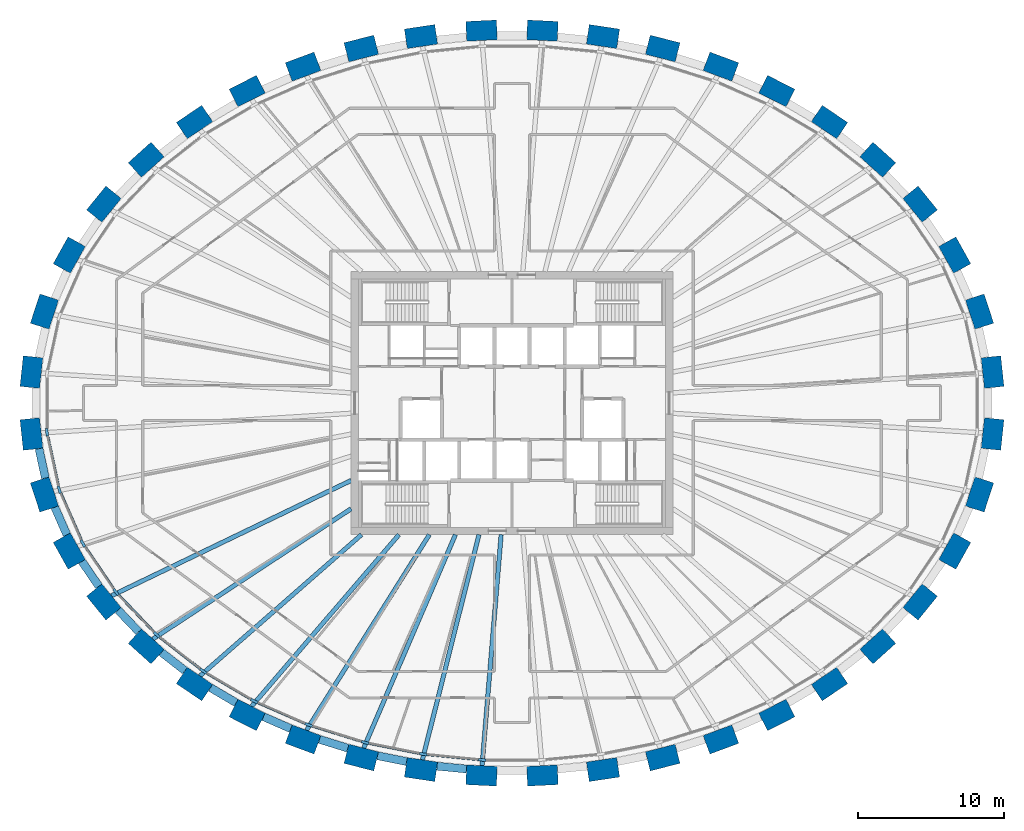
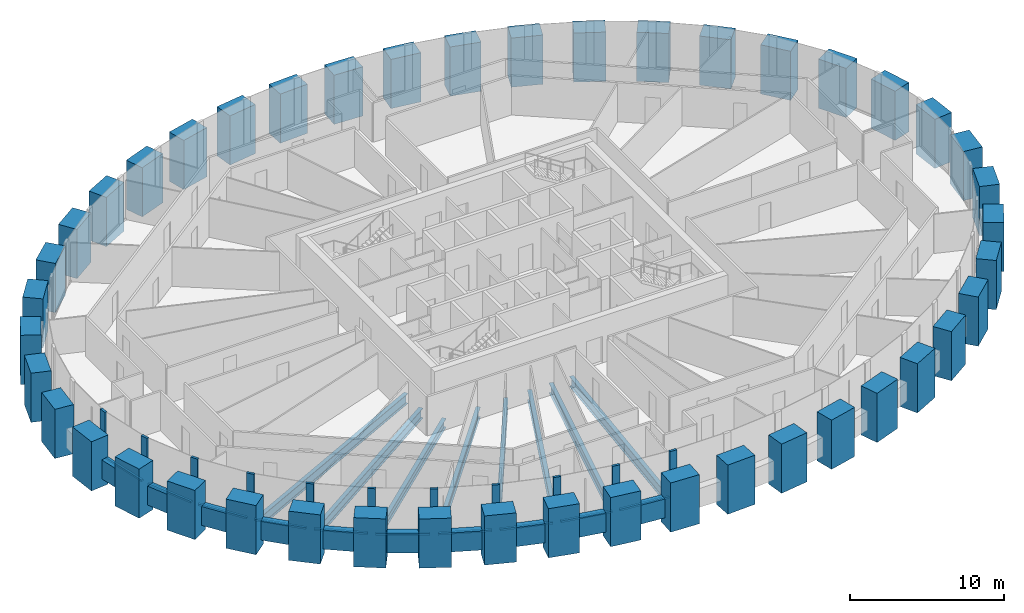
# One storey, part 1 of 12: 44 columns, 21 members, 18 beams, 1 element without a shape of its own.
"""IFC4 building model written with IfcOpenShell, lengths in metres."""

from ifc_helpers import new_model, si_unit, direction, frame, origin, origin_2d, place, context, subcontext, project, spatial, rectangle, i_section, extrude, source, transform, mapped, material, material_profile, profile_set, type_object, element, aggregate, save


model = new_model("IFC4")

# Units and contexts
model_context = context("Model", 3, precision=1e-05, world=origin(), true_north=direction((0.0, 1.0)))
body_context = subcontext(model_context, "Body", "Model", "MODEL_VIEW")
ifc_project = project(units=[si_unit("LENGTHUNIT", "METRE"), si_unit("AREAUNIT", "SQUARE_METRE"), si_unit("VOLUMEUNIT", "CUBIC_METRE"), si_unit("PLANEANGLEUNIT", "RADIAN"), si_unit("MASSUNIT", "GRAM", prefix="KILO")], contexts=[model_context])

# Site, building, storey
site_placement = place(None, origin())
site = spatial("IfcSite", under=ifc_project, at=site_placement, CompositionType="ELEMENT")
building_placement = place(site_placement, origin())
building = spatial("IfcBuilding", under=site, at=building_placement, Name="Embergate Tower", CompositionType="ELEMENT")
storey_placement = place(building_placement, frame((0.0, 0.0, 261.699951171875)))
storey = spatial("IfcBuildingStorey", under=building, at=storey_placement, Name="L60", CompositionType="ELEMENT", Elevation=261.699951171875)

# Columns
ifc_material_1 = material(Name="Concrete C60", Category="concrete")
ifc_material_profile_1 = material_profile(ifc_material_1, rectangle(XDim=1.35009765625, YDim=2.10009765625, at=origin_2d()), Name="RC 1350x2100")
ifc_profile_set_1 = profile_set([ifc_material_profile_1], Name="Concrete C60")
column_type = type_object("IfcColumnType", Name="Ring column RC 1350x2100 C60", PredefinedType="COLUMN", material=ifc_profile_set_1)
shared_shape_1 = source(origin(), body_context, "Body", "SweptSolid", [
    extrude(rectangle(XDim=1.35009765625, YDim=2.10009765625, at=origin_2d()), origin(), (0.0, 0.0, 1.0), 3.89990234375),
])
for number, where, z_axis, x_axis, name in (
    (1, (32.862060546875, 2.116943359375, -1.39990234375), (0.0, 0.0, 1.0), (0.99428589498, 0.106749983816, 0.0), "COL-L60-00"),
    (2, (31.971923828125, 6.2529296875, -1.39990234375), (0.0, 0.0, 1.0), (0.950754033697, 0.309946394413, 0.0), "COL-L60-01"),
    (3, (30.27587890625, 10.118896484375, -1.39990234375), (0.0, 0.0, 1.0), (0.873491969053, 0.486838556403, 0.0), "COL-L60-02"),
    (4, (27.908935546875, 13.60009765625, -1.39990234375), (0.0, 0.0, 1.0), (0.775914301615, 0.630838328377, 0.0), "COL-L60-03"),
    (5, (25.011962890625, 16.637939453125, -1.39990234375), (0.0, 0.0, 1.0), (0.669208424634, 0.74307475021, 0.0), "COL-L60-04"),
    (6, (21.7109375, 19.215087890625, -1.39990234375), (0.0, 0.0, 1.0), (0.560393279442, 0.828226643109, 0.0), "COL-L60-05"),
    (7, (18.10888671875, 21.3330078125, -1.39990234375), (0.0, 0.0, 1.0), (0.452994952881, 0.891513080478, 0.0), "COL-L60-06"),
    (8, (14.285888671875, 23.0048828125, -1.39990234375), (0.0, 0.0, 1.0), (0.348343015724, 0.93736713373, 0.0), "COL-L60-07"),
    (9, (10.306884765625, 24.243896484375, -1.39990234375), (0.0, 0.0, 1.0), (0.246491603437, 0.969144926951, 0.0), "COL-L60-08"),
    (10, (6.222900390625, 25.06298828125, -1.39990234375), (0.0, 0.0, 1.0), (0.146929011949, 0.989147039346, 0.0), "COL-L60-09"),
    (11, (2.0810546875, 25.469970703125, -1.39990234375), (0.0, 0.0, 1.0), (0.048814904854, 0.998807841912, 0.0), "COL-L60-10"),
    (12, (-2.0810546875, 25.469970703125, -1.39990234375), (0.0, 0.0, 1.0), (-0.048814904854, 0.998807841912, 0.0), "COL-L60-11"),
    (13, (-6.222900390625, 25.06298828125, -1.39990234375), (0.0, 0.0, 1.0), (-0.146929011949, 0.989147039346, 0.0), "COL-L60-12"),
    (14, (-10.306884765625, 24.243896484375, -1.39990234375), (0.0, 0.0, 1.0), (-0.246491603437, 0.969144926951, 0.0), "COL-L60-13"),
    (15, (-14.285888671875, 23.0048828125, -1.39990234375), (0.0, 0.0, 1.0), (-0.348343015724, 0.93736713373, 0.0), "COL-L60-14"),
    (16, (-18.10888671875, 21.3330078125, -1.39990234375), (0.0, 0.0, 1.0), (-0.452994952881, 0.891513080478, 0.0), "COL-L60-15"),
    (17, (-21.7109375, 19.215087890625, -1.39990234375), (0.0, 0.0, 1.0), (-0.560393279442, 0.828226643109, 0.0), "COL-L60-16"),
    (18, (-25.011962890625, 16.637939453125, -1.39990234375), (0.0, 0.0, 1.0), (-0.669208424634, 0.74307475021, 0.0), "COL-L60-17"),
    (19, (-27.908935546875, 13.60009765625, -1.39990234375), (0.0, 0.0, 1.0), (-0.775914301615, 0.630838328377, 0.0), "COL-L60-18"),
    (20, (-30.27587890625, 10.118896484375, -1.39990234375), (0.0, 0.0, 1.0), (-0.873491969053, 0.486838556403, 0.0), "COL-L60-19"),
    (21, (-31.971923828125, 6.2529296875, -1.39990234375), (0.0, 0.0, 1.0), (-0.950754033697, 0.309946394413, 0.0), "COL-L60-20"),
    (22, (-32.862060546875, 2.116943359375, -1.39990234375), (0.0, 0.0, 1.0), (-0.99428589498, 0.106749983816, 0.0), "COL-L60-21"),
    (23, (-32.862060546875, -2.116943359375, -1.39990234375), (0.0, 0.0, 1.0), (-0.99428589498, -0.106749983816, 0.0), "COL-L60-22"),
    (24, (-31.971923828125, -6.2529296875, -1.39990234375), (0.0, 0.0, 1.0), (-0.950754033697, -0.309946394413, 0.0), "COL-L60-23"),
    (25, (-30.27587890625, -10.118896484375, -1.39990234375), (0.0, 0.0, 1.0), (-0.873491969053, -0.486838556403, 0.0), "COL-L60-24"),
    (26, (-27.908935546875, -13.60009765625, -1.39990234375), (0.0, 0.0, 1.0), (-0.775914301615, -0.630838328377, 0.0), "COL-L60-25"),
    (27, (-25.011962890625, -16.637939453125, -1.39990234375), (0.0, 0.0, 1.0), (-0.669208424634, -0.74307475021, 0.0), "COL-L60-26"),
    (28, (-21.7109375, -19.215087890625, -1.39990234375), (0.0, 0.0, 1.0), (-0.560393279442, -0.828226643109, 0.0), "COL-L60-27"),
    (29, (-18.10888671875, -21.3330078125, -1.39990234375), (0.0, 0.0, 1.0), (-0.452994952881, -0.891513080478, 0.0), "COL-L60-28"),
    (30, (-14.285888671875, -23.0048828125, -1.39990234375), (0.0, 0.0, 1.0), (-0.348343015724, -0.93736713373, 0.0), "COL-L60-29"),
    (31, (-10.306884765625, -24.243896484375, -1.39990234375), (0.0, 0.0, 1.0), (-0.246491603437, -0.969144926951, 0.0), "COL-L60-30"),
    (32, (-6.222900390625, -25.06298828125, -1.39990234375), (0.0, 0.0, 1.0), (-0.146929011949, -0.989147039346, 0.0), "COL-L60-31"),
    (33, (-2.0810546875, -25.469970703125, -1.39990234375), (0.0, 0.0, 1.0), (-0.048814904854, -0.998807841912, 0.0), "COL-L60-32"),
    (34, (2.0810546875, -25.469970703125, -1.39990234375), (0.0, 0.0, 1.0), (0.048814904854, -0.998807841912, 0.0), "COL-L60-33"),
    (35, (6.222900390625, -25.06298828125, -1.39990234375), (0.0, 0.0, 1.0), (0.146929011949, -0.989147039346, 0.0), "COL-L60-34"),
    (36, (10.306884765625, -24.243896484375, -1.39990234375), (0.0, 0.0, 1.0), (0.246491603437, -0.969144926951, 0.0), "COL-L60-35"),
    (37, (14.285888671875, -23.0048828125, -1.39990234375), (0.0, 0.0, 1.0), (0.348343015724, -0.93736713373, 0.0), "COL-L60-36"),
    (38, (18.10888671875, -21.3330078125, -1.39990234375), (0.0, 0.0, 1.0), (0.452994952881, -0.891513080478, 0.0), "COL-L60-37"),
    (39, (21.7109375, -19.215087890625, -1.39990234375), (0.0, 0.0, 1.0), (0.560393279442, -0.828226643109, 0.0), "COL-L60-38"),
    (40, (25.011962890625, -16.637939453125, -1.39990234375), (0.0, 0.0, 1.0), (0.669208424634, -0.74307475021, 0.0), "COL-L60-39"),
    (41, (27.908935546875, -13.60009765625, -1.39990234375), (0.0, 0.0, 1.0), (0.775914301615, -0.630838328377, 0.0), "COL-L60-40"),
    (42, (30.27587890625, -10.118896484375, -1.39990234375), (0.0, 0.0, 1.0), (0.873491969053, -0.486838556403, 0.0), "COL-L60-41"),
    (43, (31.971923828125, -6.2529296875, -1.39990234375), (0.0, 0.0, 1.0), (0.950754033697, -0.309946394413, 0.0), "COL-L60-42"),
    (44, (32.862060546875, -2.116943359375, -1.39990234375), (0.0, 0.0, 1.0), (0.99428589498, -0.106749983816, 0.0), "COL-L60-43"),
):
    element("IfcColumn", number, at=place(storey_placement, frame(where, z_axis=z_axis, x_axis=x_axis)), inside=storey, type_object=column_type, Name=name, PredefinedType="COLUMN", context=body_context, shape_type="MappedRepresentation", body=[
        mapped(shared_shape_1, transform((0.0, 0.0, 0.0))),
    ])

# Beams
ifc_material_profile_2 = material_profile(ifc_material_1, rectangle(XDim=0.550048828125, YDim=1.5, at=origin_2d()), Name="RC 550x1500")
ifc_profile_set_2 = profile_set([ifc_material_profile_2], Name="Concrete C60")
beam_type_1 = type_object("IfcBeamType", Name="Spandrel beam RC 550x1500 C60", PredefinedType="BEAM", material=ifc_profile_set_2)
shared_shape_2 = source(origin(), body_context, "Body", "SweptSolid", [
    extrude(rectangle(XDim=0.550048828125, YDim=1.5, at=origin_2d()), origin(), (0.0, 0.0, 1.0), 2.05810546875),
])
beam_1_placement = place(storey_placement, frame((-32.343994140625, -3.116943359375, 0.0), z_axis=(0.210444450804, -0.977605816843, 0.0), x_axis=(0.977605816843, 0.210444450804, 0.0)))
element("IfcBeam", 45, at=beam_1_placement, inside=storey, type_object=beam_type_1, Name="SPN-L60-22", PredefinedType="BEAM", context=body_context, shape_type="MappedRepresentation", body=[
    mapped(shared_shape_2, transform((0.0, 0.0, 0.0))),
])
shared_shape_3 = source(origin(), body_context, "Body", "SweptSolid", [
    extrude(rectangle(XDim=0.550048828125, YDim=1.5, at=origin_2d()), origin(), (0.0, 0.0, 1.0), 2.054443359375),
])
beam_2_placement = place(storey_placement, frame((-31.264892578125, -7.126953125, 0.0), z_axis=(0.402021652571, -0.915630160526, 0.0), x_axis=(0.915630160526, 0.402021652571, 0.0)))
element("IfcBeam", 46, at=beam_2_placement, inside=storey, type_object=beam_type_1, Name="SPN-L60-23", PredefinedType="BEAM", context=body_context, shape_type="MappedRepresentation", body=[
    mapped(shared_shape_3, transform((0.0, 0.0, 0.0))),
])
shared_shape_4 = source(origin(), body_context, "Body", "SweptSolid", [
    extrude(rectangle(XDim=0.550048828125, YDim=1.5, at=origin_2d()), origin(), (0.0, 0.0, 1.0), 2.046630859375),
])
beam_3_placement = place(storey_placement, frame((-29.405029296875, -10.8359375, 0.0), z_axis=(0.562466632366, -0.826819984927, 0.0), x_axis=(0.826819984927, 0.562466632366, 0.0)))
element("IfcBeam", 47, at=beam_3_placement, inside=storey, type_object=beam_type_1, Name="SPN-L60-24", PredefinedType="BEAM", context=body_context, shape_type="MappedRepresentation", body=[
    mapped(shared_shape_4, transform((0.0, 0.0, 0.0))),
])
shared_shape_5 = source(origin(), body_context, "Body", "SweptSolid", [
    extrude(rectangle(XDim=0.550048828125, YDim=1.5, at=origin_2d()), origin(), (0.0, 0.0, 1.0), 2.042724609375),
])
beam_4_placement = place(storey_placement, frame((-26.93505859375, -14.160888671875, 0.0), z_axis=(0.690299494905, -0.723523743448, 0.0), x_axis=(0.723523743448, 0.690299494905, 0.0)))
element("IfcBeam", 48, at=beam_4_placement, inside=storey, type_object=beam_type_1, Name="SPN-L60-25", PredefinedType="BEAM", context=body_context, shape_type="MappedRepresentation", body=[
    mapped(shared_shape_5, transform((0.0, 0.0, 0.0))),
])
shared_shape_6 = source(origin(), body_context, "Body", "SweptSolid", [
    extrude(rectangle(XDim=0.550048828125, YDim=1.5, at=origin_2d()), origin(), (0.0, 0.0, 1.0), 2.038330078125),
])
beam_5_placement = place(storey_placement, frame((-23.968994140625, -17.049072265625, 0.0), z_axis=(0.78838379352, -0.615183707615, 0.0), x_axis=(0.615183707615, 0.78838379352, 0.0)))
element("IfcBeam", 49, at=beam_5_placement, inside=storey, type_object=beam_type_1, Name="SPN-L60-26", PredefinedType="BEAM", context=body_context, shape_type="MappedRepresentation", body=[
    mapped(shared_shape_6, transform((0.0, 0.0, 0.0))),
])
shared_shape_7 = source(origin(), body_context, "Body", "SweptSolid", [
    extrude(rectangle(XDim=0.550048828125, YDim=1.5, at=origin_2d()), origin(), (0.0, 0.0, 1.0), 2.0322265625),
])
beam_6_placement = place(storey_placement, frame((-20.614013671875, -19.467041015625, 0.0), z_axis=(0.862048455152, -0.50682586849, 0.0), x_axis=(0.50682586849, 0.862048455152, 0.0)))
element("IfcBeam", 50, at=beam_6_placement, inside=storey, type_object=beam_type_1, Name="SPN-L60-27", PredefinedType="BEAM", context=body_context, shape_type="MappedRepresentation", body=[
    mapped(shared_shape_7, transform((0.0, 0.0, 0.0))),
])
shared_shape_8 = source(origin(), body_context, "Body", "SweptSolid", [
    extrude(rectangle(XDim=0.550048828125, YDim=1.5, at=origin_2d()), origin(), (0.0, 0.0, 1.0), 2.03076171875),
])
beam_7_placement = place(storey_placement, frame((-16.991943359375, -21.451904296875, 0.0), z_axis=(0.916361402872, -0.400352069216, 0.0), x_axis=(0.400352069216, 0.916361402872, 0.0)))
element("IfcBeam", 51, at=beam_7_placement, inside=storey, type_object=beam_type_1, Name="SPN-L60-28", PredefinedType="BEAM", context=body_context, shape_type="MappedRepresentation", body=[
    mapped(shared_shape_8, transform((0.0, 0.0, 0.0))),
])
shared_shape_9 = source(origin(), body_context, "Body", "SweptSolid", [
    extrude(rectangle(XDim=0.550048828125, YDim=1.5, at=origin_2d()), origin(), (0.0, 0.0, 1.0), 2.02880859375),
])
beam_8_placement = place(storey_placement, frame((-13.1640625, -22.9990234375, 0.0), z_axis=(0.954800624546, -0.297246980417, 0.0), x_axis=(0.297246980417, 0.954800624546, 0.0)))
element("IfcBeam", 52, at=beam_8_placement, inside=storey, type_object=beam_type_1, Name="SPN-L60-29", PredefinedType="BEAM", context=body_context, shape_type="MappedRepresentation", body=[
    mapped(shared_shape_9, transform((0.0, 0.0, 0.0))),
])
shared_shape_10 = source(origin(), body_context, "Body", "SweptSolid", [
    extrude(rectangle(XDim=0.550048828125, YDim=1.5, at=origin_2d()), origin(), (0.0, 0.0, 1.0), 2.02734375),
])
beam_9_placement = place(storey_placement, frame((-9.19189453125, -24.1220703125, 0.0), z_axis=(0.980543602706, -0.196301409041, 0.0), x_axis=(0.196301409041, 0.980543602706, 0.0)))
element("IfcBeam", 53, at=beam_9_placement, inside=storey, type_object=beam_type_1, Name="SPN-L60-30", PredefinedType="BEAM", context=body_context, shape_type="MappedRepresentation", body=[
    mapped(shared_shape_10, transform((0.0, 0.0, 0.0))),
])
shared_shape_11 = source(origin(), body_context, "Body", "SweptSolid", [
    extrude(rectangle(XDim=0.550048828125, YDim=1.5, at=origin_2d()), origin(), (0.0, 0.0, 1.0), 2.025634765625),
])
beam_10_placement = place(storey_placement, frame((-5.126953125, -24.830078125, 0.0), z_axis=(0.995211067802, -0.097749324935, 0.0), x_axis=(0.097749324935, 0.995211067802, 0.0)))
element("IfcBeam", 54, at=beam_10_placement, inside=storey, type_object=beam_type_1, Name="SPN-L60-31", PredefinedType="BEAM", context=body_context, shape_type="MappedRepresentation", body=[
    mapped(shared_shape_11, transform((0.0, 0.0, 0.0))),
])
ifc_material_2 = material(Name="Steel Q355B", Category="steel")
ifc_material_profile_3 = material_profile(ifc_material_2, i_section(OverallWidth=0.300048828125, OverallDepth=0.800048828125, WebThickness=0.013916015625, FlangeThickness=0.02587890625, FilletRadius=0.028076171875, at=origin_2d()), Name="HN 800x300x14x26")
ifc_profile_set_3 = profile_set([ifc_material_profile_3], Name="Steel Q355 grade B")
beam_type_2 = type_object("IfcBeamType", Name="Radial girder HN 800x300x14x26", PredefinedType="BEAM", material=ifc_profile_set_3)
shared_shape_12 = source(origin(), body_context, "Body", "SweptSolid", [
    extrude(i_section(OverallWidth=0.300048828125, OverallDepth=0.800048828125, WebThickness=0.013916015625, FlangeThickness=0.02587890625, FilletRadius=0.028076171875, at=origin_2d()), origin(), (0.0, 0.0, 1.0), 18.182373046875),
])
beam_11_placement = place(storey_placement, frame((-27.385009765625, -13.174072265625, -0.599853515625), z_axis=(0.901152068073, 0.433503114415, 0.0), x_axis=(-0.433503114415, 0.901152068073, 0.0)))
element("IfcBeam", 55, at=beam_11_placement, inside=storey, type_object=beam_type_2, Name="GIR-L60-25", PredefinedType="BEAM", context=body_context, shape_type="MappedRepresentation", body=[
    mapped(shared_shape_12, transform((0.0, 0.0, 0.0))),
])
shared_shape_13 = source(origin(), body_context, "Body", "SweptSolid", [
    extrude(i_section(OverallWidth=0.300048828125, OverallDepth=0.800048828125, WebThickness=0.013916015625, FlangeThickness=0.02587890625, FilletRadius=0.028076171875, at=origin_2d()), origin(), (0.0, 0.0, 1.0), 16.224853515625),
])
beam_12_placement = place(storey_placement, frame((-24.56005859375, -16.135986328125, -0.599853515625), z_axis=(0.83576092079, 0.549093510506, 0.0), x_axis=(-0.549093510506, 0.83576092079, 0.0)))
element("IfcBeam", 56, at=beam_12_placement, inside=storey, type_object=beam_type_2, Name="GIR-L60-26", PredefinedType="BEAM", context=body_context, shape_type="MappedRepresentation", body=[
    mapped(shared_shape_13, transform((0.0, 0.0, 0.0))),
])
ifc_material_profile_4 = material_profile(ifc_material_2, i_section(OverallWidth=0.300048828125, OverallDepth=0.699951171875, WebThickness=0.012939453125, FlangeThickness=0.02392578125, FilletRadius=0.01806640625, at=origin_2d()), Name="HN 700x300x13x24")
ifc_profile_set_4 = profile_set([ifc_material_profile_4], Name="Steel Q355 grade B")
beam_type_3 = type_object("IfcBeamType", Name="Radial girder HN 700x300x13x24", PredefinedType="BEAM", material=ifc_profile_set_4)
shared_shape_14 = source(origin(), body_context, "Body", "SweptSolid", [
    extrude(i_section(OverallWidth=0.300048828125, OverallDepth=0.699951171875, WebThickness=0.012939453125, FlangeThickness=0.02392578125, FilletRadius=0.01806640625, at=origin_2d()), origin(), (0.0, 0.0, 1.0), 14.66845703125),
])
beam_13_placement = place(storey_placement, frame((-21.3330078125, -18.656005859375, -0.550048828125), z_axis=(0.752770497305, 0.658283053395, 0.0), x_axis=(-0.658283053395, 0.752770497305, 0.0)))
element("IfcBeam", 57, at=beam_13_placement, inside=storey, type_object=beam_type_3, Name="GIR-L60-27", PredefinedType="BEAM", context=body_context, shape_type="MappedRepresentation", body=[
    mapped(shared_shape_14, transform((0.0, 0.0, 0.0))),
])
shared_shape_15 = source(origin(), body_context, "Body", "SweptSolid", [
    extrude(i_section(OverallWidth=0.300048828125, OverallDepth=0.800048828125, WebThickness=0.013916015625, FlangeThickness=0.02587890625, FilletRadius=0.028076171875, at=origin_2d()), origin(), (0.0, 0.0, 1.0), 15.462890625),
])
beam_14_placement = place(storey_placement, frame((-17.802978515625, -20.73095703125, -0.599853515625), z_axis=(0.651494533004, 0.75865332891, 0.0), x_axis=(-0.75865332891, 0.651494533004, 0.0)))
element("IfcBeam", 58, at=beam_14_placement, inside=storey, type_object=beam_type_2, Name="GIR-L60-28", PredefinedType="BEAM", context=body_context, shape_type="MappedRepresentation", body=[
    mapped(shared_shape_15, transform((0.0, 0.0, 0.0))),
])
shared_shape_16 = source(origin(), body_context, "Body", "SweptSolid", [
    extrude(i_section(OverallWidth=0.300048828125, OverallDepth=0.800048828125, WebThickness=0.013916015625, FlangeThickness=0.02587890625, FilletRadius=0.028076171875, at=origin_2d()), origin(), (0.0, 0.0, 1.0), 15.791015625),
])
beam_15_placement = place(storey_placement, frame((-14.051025390625, -22.3720703125, -0.599853515625), z_axis=(0.531882110567, 0.846818410557, 0.0), x_axis=(-0.846818410557, 0.531882110567, 0.0)))
element("IfcBeam", 59, at=beam_15_placement, inside=storey, type_object=beam_type_2, Name="GIR-L60-29", PredefinedType="BEAM", context=body_context, shape_type="MappedRepresentation", body=[
    mapped(shared_shape_16, transform((0.0, 0.0, 0.0))),
])
shared_shape_17 = source(origin(), body_context, "Body", "SweptSolid", [
    extrude(i_section(OverallWidth=0.300048828125, OverallDepth=0.800048828125, WebThickness=0.013916015625, FlangeThickness=0.02587890625, FilletRadius=0.028076171875, at=origin_2d()), origin(), (0.0, 0.0, 1.0), 15.881103515625),
])
beam_16_placement = place(storey_placement, frame((-10.14111328125, -23.590087890625, -0.599853515625), z_axis=(0.394946920714, 0.918703940243, 0.0), x_axis=(-0.918703940243, 0.394946920714, 0.0)))
element("IfcBeam", 60, at=beam_16_placement, inside=storey, type_object=beam_type_2, Name="GIR-L60-30", PredefinedType="BEAM", context=body_context, shape_type="MappedRepresentation", body=[
    mapped(shared_shape_17, transform((0.0, 0.0, 0.0))),
])
shared_shape_18 = source(origin(), body_context, "Body", "SweptSolid", [
    extrude(i_section(OverallWidth=0.300048828125, OverallDepth=0.800048828125, WebThickness=0.013916015625, FlangeThickness=0.02587890625, FilletRadius=0.028076171875, at=origin_2d()), origin(), (0.0, 0.0, 1.0), 15.872802734375),
])
beam_17_placement = place(storey_placement, frame((-6.1240234375, -24.39501953125, -0.599853515625), z_axis=(0.243498181484, 0.969901353548, 0.0), x_axis=(-0.969901353548, 0.243498181484, 0.0)))
element("IfcBeam", 61, at=beam_17_placement, inside=storey, type_object=beam_type_2, Name="GIR-L60-31", PredefinedType="BEAM", context=body_context, shape_type="MappedRepresentation", body=[
    mapped(shared_shape_18, transform((0.0, 0.0, 0.0))),
])
shared_shape_19 = source(origin(), body_context, "Body", "SweptSolid", [
    extrude(i_section(OverallWidth=0.300048828125, OverallDepth=0.800048828125, WebThickness=0.013916015625, FlangeThickness=0.02587890625, FilletRadius=0.028076171875, at=origin_2d()), origin(), (0.0, 0.0, 1.0), 15.849609375),
])
beam_18_placement = place(storey_placement, frame((-2.048095703125, -24.7958984375, -0.599853515625), z_axis=(0.082346886075, 0.996603727845, 0.0), x_axis=(-0.996603727845, 0.082346886075, 0.0)))
element("IfcBeam", 62, at=beam_18_placement, inside=storey, type_object=beam_type_2, Name="GIR-L60-32", PredefinedType="BEAM", context=body_context, shape_type="MappedRepresentation", body=[
    mapped(shared_shape_19, transform((0.0, 0.0, 0.0))),
])

# Curtain wall, members
ifc_material_3 = material(Name="Aluminium and glass", Category="aluminium")
curtain_wall_type = type_object("IfcCurtainWallType", Name="Recessed office glazing", PredefinedType="NOTDEFINED", material=ifc_material_3)
curtain_wall_placement = place(storey_placement, origin())
curtain_wall = element("IfcCurtainWall", 63, at=curtain_wall_placement, inside=storey, type_object=curtain_wall_type, Name="Recessed office glazing ring", ObjectType="RECESSED OFFICE GLAZING", PredefinedType="USERDEFINED")
ifc_material_4 = material(Name="Aluminium, thermally broken", Category="aluminium")
ifc_material_profile_5 = material_profile(ifc_material_4, rectangle(XDim=0.179931640625, YDim=0.52001953125, at=origin_2d()), Name="AL 520x180")
ifc_profile_set_5 = profile_set([ifc_material_profile_5], Name="Aluminium, thermally broken")
member_type_1 = type_object("IfcMemberType", Name="Office mullion", PredefinedType="MULLION", material=ifc_profile_set_5)
shared_shape_20 = source(origin(), body_context, "Body", "SweptSolid", [
    extrude(rectangle(XDim=0.179931640625, YDim=0.52001953125, at=origin_2d()), origin(), (0.0, 0.0, 1.0), 3.699951171875),
])
member_1_placement = place(storey_placement, frame((-31.802490234375, -2.003173828125, 0.0), z_axis=(0.0, 0.0, 1.0), x_axis=(0.994384400633, 0.105828463931, 0.0)))
member_1 = element("IfcMember", 64, at=member_1_placement, type_object=member_type_1, Name="CW mullion 23", PredefinedType="MULLION", context=body_context, shape_type="MappedRepresentation", body=[
    mapped(shared_shape_20, transform((0.0, 0.0, 0.0))),
])
member_2_placement = place(storey_placement, frame((-30.958984375, -5.922607421875, 0.0), z_axis=(0.0, 0.0, 1.0), x_axis=(0.9514940392, 0.307667179542, 0.0)))
member_2 = element("IfcMember", 65, at=member_2_placement, type_object=member_type_1, Name="CW mullion 24", PredefinedType="MULLION", context=body_context, shape_type="MappedRepresentation", body=[
    mapped(shared_shape_20, transform((0.0, 0.0, 0.0))),
])
member_3_placement = place(storey_placement, frame((-29.34619140625, -9.600341796875, 0.0), z_axis=(0.0, 0.0, 1.0), x_axis=(0.874994291193, 0.484133236186, 0.0)))
member_3 = element("IfcMember", 66, at=member_3_placement, type_object=member_type_1, Name="CW mullion 25", PredefinedType="MULLION", context=body_context, shape_type="MappedRepresentation", body=[
    mapped(shared_shape_20, transform((0.0, 0.0, 0.0))),
])
member_4_placement = place(storey_placement, frame((-27.0830078125, -12.92822265625, 0.0), z_axis=(0.0, 0.0, 1.0), x_axis=(0.777863789852, 0.628432911643, 0.0)))
member_4 = element("IfcMember", 67, at=member_4_placement, type_object=member_type_1, Name="CW mullion 26", PredefinedType="MULLION", context=body_context, shape_type="MappedRepresentation", body=[
    mapped(shared_shape_20, transform((0.0, 0.0, 0.0))),
])
member_5_placement = place(storey_placement, frame((-24.299560546875, -15.846923828125, 0.0), z_axis=(0.0, 0.0, 1.0), x_axis=(0.671217477801, 0.741260478843, 0.0)))
member_5 = element("IfcMember", 68, at=member_5_placement, type_object=member_type_1, Name="CW mullion 27", PredefinedType="MULLION", context=body_context, shape_type="MappedRepresentation", body=[
    mapped(shared_shape_20, transform((0.0, 0.0, 0.0))),
])
member_6_placement = place(storey_placement, frame((-21.1142578125, -18.3330078125, 0.0), z_axis=(0.0, 0.0, 1.0), x_axis=(0.562208958301, 0.826995215951, 0.0)))
member_6 = element("IfcMember", 69, at=member_6_placement, type_object=member_type_1, Name="CW mullion 28", PredefinedType="MULLION", context=body_context, shape_type="MappedRepresentation", body=[
    mapped(shared_shape_20, transform((0.0, 0.0, 0.0))),
])
member_7_placement = place(storey_placement, frame((-17.626220703125, -20.383544921875, 0.0), z_axis=(0.0, 0.0, 1.0), x_axis=(0.45450516197, 0.8907441034, 0.0)))
member_7 = element("IfcMember", 70, at=member_7_placement, type_object=member_type_1, Name="CW mullion 29", PredefinedType="MULLION", context=body_context, shape_type="MappedRepresentation", body=[
    mapped(shared_shape_20, transform((0.0, 0.0, 0.0))),
])
member_8_placement = place(storey_placement, frame((-13.914794921875, -22.006591796875, 0.0), z_axis=(0.0, 0.0, 1.0), x_axis=(0.349497777064, 0.936937193107, 0.0)))
member_8 = element("IfcMember", 71, at=member_8_placement, type_object=member_type_1, Name="CW mullion 30", PredefinedType="MULLION", context=body_context, shape_type="MappedRepresentation", body=[
    mapped(shared_shape_20, transform((0.0, 0.0, 0.0))),
])
member_9_placement = place(storey_placement, frame((-10.0439453125, -23.2119140625, 0.0), z_axis=(0.0, 0.0, 1.0), x_axis=(0.247308499144, 0.96893679167, 0.0)))
member_9 = element("IfcMember", 72, at=member_9_placement, type_object=member_type_1, Name="CW mullion 31", PredefinedType="MULLION", context=body_context, shape_type="MappedRepresentation", body=[
    mapped(shared_shape_20, transform((0.0, 0.0, 0.0))),
])
member_10_placement = place(storey_placement, frame((-6.06689453125, -24.009521484375, 0.0), z_axis=(0.0, 0.0, 1.0), x_axis=(0.147410656556, 0.989075375456, 0.0)))
member_10 = element("IfcMember", 73, at=member_10_placement, type_object=member_type_1, Name="CW mullion 32", PredefinedType="MULLION", context=body_context, shape_type="MappedRepresentation", body=[
    mapped(shared_shape_20, transform((0.0, 0.0, 0.0))),
])
member_11_placement = place(storey_placement, frame((-2.02880859375, -24.406494140625, 0.0), z_axis=(0.0, 0.0, 1.0), x_axis=(0.048970053385, 0.998800247232, 0.0)))
member_11 = element("IfcMember", 74, at=member_11_placement, type_object=member_type_1, Name="CW mullion 33", PredefinedType="MULLION", context=body_context, shape_type="MappedRepresentation", body=[
    mapped(shared_shape_20, transform((0.0, 0.0, 0.0))),
])
ifc_material_profile_6 = material_profile(ifc_material_4, rectangle(XDim=0.179931640625, YDim=0.14990234375, at=origin_2d()), Name="AL 150x180")
ifc_profile_set_6 = profile_set([ifc_material_profile_6], Name="Aluminium, thermally broken")
member_type_2 = type_object("IfcMemberType", Name="Office sill transom", PredefinedType="USERDEFINED", material=ifc_profile_set_6)
shared_shape_21 = source(origin(), body_context, "Body", "SweptSolid", [
    extrude(rectangle(XDim=0.179931640625, YDim=0.14990234375, at=origin_2d()), origin(), (0.0, 0.0, 1.0), 3.4892578125),
])
member_12_placement = place(storey_placement, frame((-31.747802734375, -2.25732421875, 0.074951171875), z_axis=(0.21033180344, -0.977630059103, 0.0), x_axis=(0.977630059103, 0.21033180344, 0.0)))
member_12 = element("IfcMember", 75, at=member_12_placement, type_object=member_type_2, Name="CW transom 23.1", ObjectType="TRANSOM", PredefinedType="USERDEFINED", context=body_context, shape_type="MappedRepresentation", body=[
    mapped(shared_shape_21, transform((0.0, 0.0, 0.0))),
])
shared_shape_22 = source(origin(), body_context, "Body", "SweptSolid", [
    extrude(rectangle(XDim=0.179931640625, YDim=0.14990234375, at=origin_2d()), origin(), (0.0, 0.0, 1.0), 3.49609375),
])
member_13_placement = place(storey_placement, frame((-30.854736328125, -6.16064453125, 0.074951171875), z_axis=(0.401675879714, -0.915781899612, 0.0), x_axis=(0.915781899612, 0.401675879714, 0.0)))
member_13 = element("IfcMember", 76, at=member_13_placement, type_object=member_type_2, Name="CW transom 24.1", ObjectType="TRANSOM", PredefinedType="USERDEFINED", context=body_context, shape_type="MappedRepresentation", body=[
    mapped(shared_shape_22, transform((0.0, 0.0, 0.0))),
])
shared_shape_23 = source(origin(), body_context, "Body", "SweptSolid", [
    extrude(rectangle(XDim=0.179931640625, YDim=0.14990234375, at=origin_2d()), origin(), (0.0, 0.0, 1.0), 3.504638671875),
])
member_14_placement = place(storey_placement, frame((-29.199951171875, -9.8154296875, 0.074951171875), z_axis=(0.562376708583, -0.826881150858, 0.0), x_axis=(0.826881150858, 0.562376708583, 0.0)))
member_14 = element("IfcMember", 77, at=member_14_placement, type_object=member_type_2, Name="CW transom 25.1", ObjectType="TRANSOM", PredefinedType="USERDEFINED", context=body_context, shape_type="MappedRepresentation", body=[
    mapped(shared_shape_23, transform((0.0, 0.0, 0.0))),
])
shared_shape_24 = source(origin(), body_context, "Body", "SweptSolid", [
    extrude(rectangle(XDim=0.179931640625, YDim=0.14990234375, at=origin_2d()), origin(), (0.0, 0.0, 1.0), 3.512939453125),
])
member_15_placement = place(storey_placement, frame((-26.903564453125, -13.116455078125, 0.074951171875), z_axis=(0.690159983448, -0.723656822842, 0.0), x_axis=(0.723656822842, 0.690159983448, 0.0)))
member_15 = element("IfcMember", 78, at=member_15_placement, type_object=member_type_2, Name="CW transom 26.1", ObjectType="TRANSOM", PredefinedType="USERDEFINED", context=body_context, shape_type="MappedRepresentation", body=[
    mapped(shared_shape_24, transform((0.0, 0.0, 0.0))),
])
shared_shape_25 = source(origin(), body_context, "Body", "SweptSolid", [
    extrude(rectangle(XDim=0.179931640625, YDim=0.14990234375, at=origin_2d()), origin(), (0.0, 0.0, 1.0), 3.520263671875),
])
member_16_placement = place(storey_placement, frame((-24.094482421875, -16.0068359375, 0.074951171875), z_axis=(0.788309220122, -0.615279264619, 0.0), x_axis=(0.615279264619, 0.788309220122, 0.0)))
member_16 = element("IfcMember", 79, at=member_16_placement, type_object=member_type_2, Name="CW transom 27.1", ObjectType="TRANSOM", PredefinedType="USERDEFINED", context=body_context, shape_type="MappedRepresentation", body=[
    mapped(shared_shape_25, transform((0.0, 0.0, 0.0))),
])
shared_shape_26 = source(origin(), body_context, "Body", "SweptSolid", [
    extrude(rectangle(XDim=0.179931640625, YDim=0.14990234375, at=origin_2d()), origin(), (0.0, 0.0, 1.0), 3.526123046875),
])
member_17_placement = place(storey_placement, frame((-20.89013671875, -18.464599609375, 0.074951171875), z_axis=(0.862058778532, -0.506808309281, 0.0), x_axis=(0.506808309281, 0.862058778532, 0.0)))
member_17 = element("IfcMember", 80, at=member_17_placement, type_object=member_type_2, Name="CW transom 28.1", ObjectType="TRANSOM", PredefinedType="USERDEFINED", context=body_context, shape_type="MappedRepresentation", body=[
    mapped(shared_shape_26, transform((0.0, 0.0, 0.0))),
])
shared_shape_27 = source(origin(), body_context, "Body", "SweptSolid", [
    extrude(rectangle(XDim=0.179931640625, YDim=0.14990234375, at=origin_2d()), origin(), (0.0, 0.0, 1.0), 3.53076171875),
])
member_18_placement = place(storey_placement, frame((-17.387939453125, -20.48779296875, 0.074951171875), z_axis=(0.916241422351, -0.400626579209, 0.0), x_axis=(0.400626579209, 0.916241422351, 0.0)))
member_18 = element("IfcMember", 81, at=member_18_placement, type_object=member_type_2, Name="CW transom 29.1", ObjectType="TRANSOM", PredefinedType="USERDEFINED", context=body_context, shape_type="MappedRepresentation", body=[
    mapped(shared_shape_27, transform((0.0, 0.0, 0.0))),
])
shared_shape_28 = source(origin(), body_context, "Body", "SweptSolid", [
    extrude(rectangle(XDim=0.179931640625, YDim=0.14990234375, at=origin_2d()), origin(), (0.0, 0.0, 1.0), 3.5341796875),
])
member_19_placement = place(storey_placement, frame((-13.66650390625, -22.083740234375, 0.074951171875), z_axis=(0.954775746564, -0.297326880342, 0.0), x_axis=(0.297326880342, 0.954775746564, 0.0)))
member_19 = element("IfcMember", 82, at=member_19_placement, type_object=member_type_2, Name="CW transom 30.1", ObjectType="TRANSOM", PredefinedType="USERDEFINED", context=body_context, shape_type="MappedRepresentation", body=[
    mapped(shared_shape_28, transform((0.0, 0.0, 0.0))),
])
shared_shape_29 = source(origin(), body_context, "Body", "SweptSolid", [
    extrude(rectangle(XDim=0.179931640625, YDim=0.14990234375, at=origin_2d()), origin(), (0.0, 0.0, 1.0), 3.5361328125),
])
member_20_placement = place(storey_placement, frame((-9.7890625, -23.262939453125, 0.074951171875), z_axis=(0.980463661571, -0.196700300811, 0.0), x_axis=(0.196700300811, 0.980463661571, 0.0)))
member_20 = element("IfcMember", 83, at=member_20_placement, type_object=member_type_2, Name="CW transom 31.1", ObjectType="TRANSOM", PredefinedType="USERDEFINED", context=body_context, shape_type="MappedRepresentation", body=[
    mapped(shared_shape_29, transform((0.0, 0.0, 0.0))),
])
shared_shape_30 = source(origin(), body_context, "Body", "SweptSolid", [
    extrude(rectangle(XDim=0.179931640625, YDim=0.14990234375, at=origin_2d()), origin(), (0.0, 0.0, 1.0), 3.53759765625),
])
member_21_placement = place(storey_placement, frame((-5.80810546875, -24.034912109375, 0.074951171875), z_axis=(0.99519983538, -0.097863617654, 0.0), x_axis=(0.097863617654, 0.99519983538, 0.0)))
member_21 = element("IfcMember", 84, at=member_21_placement, type_object=member_type_2, Name="CW transom 32.1", ObjectType="TRANSOM", PredefinedType="USERDEFINED", context=body_context, shape_type="MappedRepresentation", body=[
    mapped(shared_shape_30, transform((0.0, 0.0, 0.0))),
])
aggregate(curtain_wall, [member_1, member_2, member_3, member_4, member_5, member_6, member_7, member_8, member_9, member_10, member_11, member_12, member_13, member_14, member_15, member_16, member_17, member_18, member_19, member_20, member_21])

save(model, "model.ifc")
